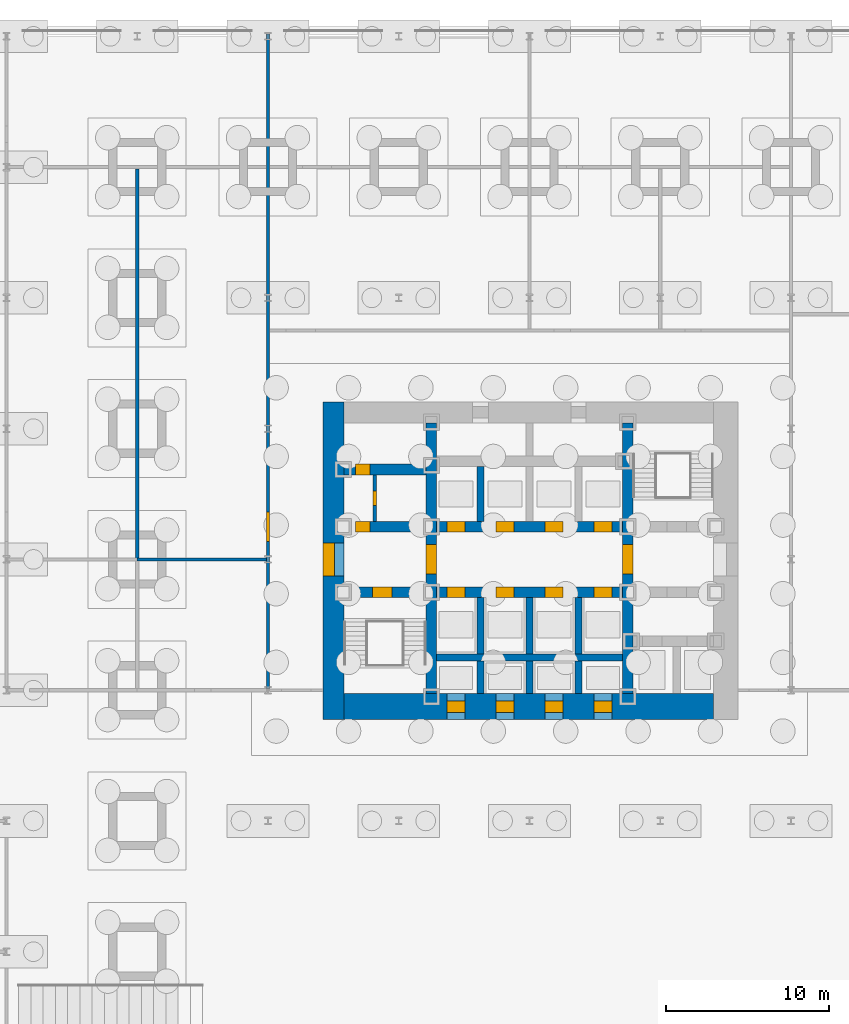
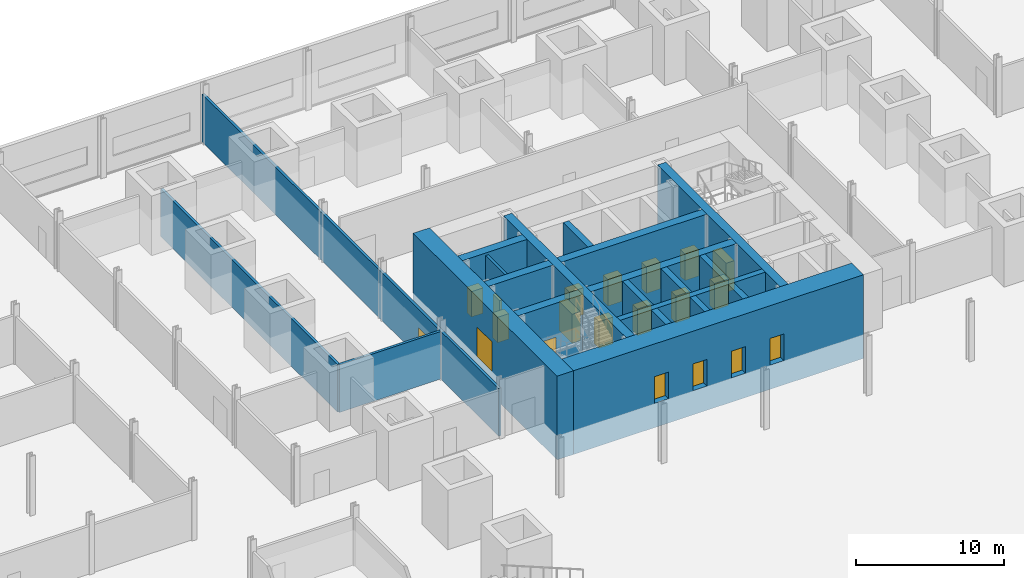
# One storey, part 16 of 24: 21 walls, 20 doors, 20 openings.
"""IFC4 building model written with IfcOpenShell, lengths in metres."""

from ifc_helpers import new_model, si_unit, direction, frame, frame_2d, origin, place, context, subcontext, project, spatial, rectangle, extrude, material, layer, layer_set, type_object, element, fill, save


model = new_model("IFC4")

# Units and contexts
model_context = context("Model", 3, precision=1e-05, world=origin(), true_north=direction((0.0, 1.0)))
body_context = subcontext(model_context, "Body", "Model", "MODEL_VIEW")
ifc_project = project(units=[si_unit("LENGTHUNIT", "METRE"), si_unit("AREAUNIT", "SQUARE_METRE"), si_unit("VOLUMEUNIT", "CUBIC_METRE"), si_unit("PLANEANGLEUNIT", "RADIAN"), si_unit("MASSUNIT", "GRAM", prefix="KILO")], contexts=[model_context])

# Site, building, storey
site_placement = place(None, origin())
site = spatial("IfcSite", under=ifc_project, at=site_placement, CompositionType="ELEMENT")
building_placement = place(site_placement, origin())
building = spatial("IfcBuilding", under=site, at=building_placement, Name="Daluyong Arena Tower", CompositionType="ELEMENT")
storey_placement = place(building_placement, origin())
storey = spatial("IfcBuildingStorey", under=building, at=storey_placement, Name="L00", CompositionType="ELEMENT", Elevation=0.0)

# Wall, opening, door
ifc_material_1 = material(Name="Concrete fc' 60 MPa", Category="concrete")
ifc_layer_1 = layer(ifc_material_1, 0.64990234375)
ifc_layer_set_1 = layer_set([ifc_layer_1], Name="Concrete fc' 60 MPa")
wall_type_1 = type_object("IfcWallType", Name="Core inner wall 650", PredefinedType="SHEAR", material=ifc_layer_set_1)
wall_1_placement = place(storey_placement, frame((50.0, 71.800048828125, -2.0), z_axis=(0.0, 0.0, 1.0), x_axis=(0.0, 1.0, 0.0)))
wall_1 = element("IfcWall", 1, at=wall_1_placement, inside=storey, type_object=wall_type_1, Name="core inner wall at L00", PredefinedType="SHEAR", context=body_context, shape_type="SweptSolid", body=[
    extrude(rectangle(XDim=16.56005859375, YDim=0.64990234375, at=frame_2d((8.280029296875, 0.0))), origin(), (0.0, 0.0, 1.0), 6.89990234375),
])
opening_1_placement = place(wall_1_placement, frame((7.300048828125, 0.0, 2.0)))
opening_1 = element("IfcOpeningElement", 2, at=opening_1_placement, cuts=wall_1, Name="Opening 00010", PredefinedType="OPENING", context=body_context, shape_type="SweptSolid", body=[
    extrude(rectangle(XDim=1.800048828125, YDim=2.39990234375, at=frame_2d((0.89990234375, 1.199951171875))), frame((0.0, 0.3349609375, 0.0), z_axis=(0.0, -1.0, 0.0), x_axis=(1.0, 0.0, 0.0)), (0.0, 0.0, 1.0), 0.669921875),
])
ifc_material_2 = material(Name="Steel door, fire rated", Category="steel")
door_type_1 = type_object("IfcDoorType", Name="Lift lobby opening door 1800", OperationType="DOUBLE_DOOR_SINGLE_SWING", PredefinedType="DOOR", material=ifc_material_2)
door_1_placement = place(opening_1_placement, origin())
door_1 = element("IfcDoor", 3, at=door_1_placement, inside=storey, type_object=door_type_1, Name="lift lobby door west 00010", OperationType="DOUBLE_DOOR_SINGLE_SWING", OverallHeight=2.39990234375, OverallWidth=1.800048828125, PredefinedType="DOOR", context=body_context, shape_type="SweptSolid", body=[
    extrude(rectangle(XDim=1.800048828125, YDim=2.39990234375, at=frame_2d((0.89990234375, 1.199951171875))), frame((0.0, 0.32470703125, 0.0), z_axis=(0.0, -1.0, 0.0), x_axis=(1.0, 0.0, 0.0)), (0.0, 0.0, 1.0), 0.6494140625),
])
fill(opening_1, door_1)

wall_2_placement = place(storey_placement, frame((62.0, 71.800048828125, -2.0), z_axis=(0.0, 0.0, 1.0), x_axis=(0.0, 1.0, 0.0)))
wall_2 = element("IfcWall", 4, at=wall_2_placement, inside=storey, type_object=wall_type_1, Name="core inner wall at L00", PredefinedType="SHEAR", context=body_context, shape_type="SweptSolid", body=[
    extrude(rectangle(XDim=16.56005859375, YDim=0.64990234375, at=frame_2d((8.280029296875, 0.0))), origin(), (0.0, 0.0, 1.0), 6.89990234375),
])
opening_2_placement = place(wall_2_placement, frame((7.300048828125, 0.0, 2.0)))
opening_2 = element("IfcOpeningElement", 5, at=opening_2_placement, cuts=wall_2, Name="Opening 00011", PredefinedType="OPENING", context=body_context, shape_type="SweptSolid", body=[
    extrude(rectangle(XDim=1.800048828125, YDim=2.39990234375, at=frame_2d((0.89990234375, 1.199951171875))), frame((0.0, 0.3349609375, 0.0), z_axis=(0.0, -1.0, 0.0), x_axis=(1.0, 0.0, 0.0)), (0.0, 0.0, 1.0), 0.669921875),
])
door_2_placement = place(opening_2_placement, origin())
door_2 = element("IfcDoor", 6, at=door_2_placement, inside=storey, type_object=door_type_1, Name="lift lobby door east 00011", OperationType="DOUBLE_DOOR_SINGLE_SWING", OverallHeight=2.39990234375, OverallWidth=1.800048828125, PredefinedType="DOOR", context=body_context, shape_type="SweptSolid", body=[
    extrude(rectangle(XDim=1.800048828125, YDim=2.39990234375, at=frame_2d((0.89990234375, 1.199951171875))), frame((0.0, 0.32470703125, 0.0), z_axis=(0.0, -1.0, 0.0), x_axis=(1.0, 0.0, 0.0)), (0.0, 0.0, 1.0), 0.6494140625),
])
fill(opening_2, door_2)

wall_3_placement = place(storey_placement, frame((44.639892578125, 78.0, -2.0), z_axis=(0.0, 0.0, 1.0), x_axis=(1.0, 0.0, 0.0)))
wall_3 = element("IfcWall", 7, at=wall_3_placement, inside=storey, type_object=wall_type_1, Name="core inner wall at L00", PredefinedType="SHEAR", context=body_context, shape_type="SweptSolid", body=[
    extrude(rectangle(XDim=5.03515625, YDim=0.64990234375, at=frame_2d((2.517578125, 0.0))), origin(), (0.0, 0.0, 1.0), 6.89990234375),
])
opening_3_placement = place(wall_3_placement, frame((1.760009765625, 0.0, 2.0)))
opening_3 = element("IfcOpeningElement", 8, at=opening_3_placement, cuts=wall_3, Name="Opening 00006", PredefinedType="OPENING", context=body_context, shape_type="SweptSolid", body=[
    extrude(rectangle(XDim=1.199951171875, YDim=2.10009765625, at=frame_2d((0.60009765625, 1.050048828125))), frame((0.0, 0.3349609375, 0.0), z_axis=(0.0, -1.0, 0.0), x_axis=(1.0, 0.0, 0.0)), (0.0, 0.0, 1.0), 0.669921875),
])
ifc_material_3 = material(Name="Steel door, fire rated", Category="steel")
door_type_2 = type_object("IfcDoorType", Name="Stair door 1200", OperationType="SINGLE_SWING_LEFT", PredefinedType="DOOR", material=ifc_material_3)
door_3_placement = place(opening_3_placement, origin())
door_3 = element("IfcDoor", 9, at=door_3_placement, inside=storey, type_object=door_type_2, Name="stair A door 00006", OperationType="SINGLE_SWING_LEFT", OverallHeight=2.10009765625, OverallWidth=1.199951171875, PredefinedType="DOOR", context=body_context, shape_type="SweptSolid", body=[
    extrude(rectangle(XDim=1.199951171875, YDim=2.10009765625, at=frame_2d((0.60009765625, 1.050048828125))), frame((0.0, 0.32470703125, 0.0), z_axis=(0.0, -1.0, 0.0), x_axis=(1.0, 0.0, 0.0)), (0.0, 0.0, 1.0), 0.6494140625),
])
fill(opening_3, door_3)

wall_4_placement = place(storey_placement, frame((44.639892578125, 82.0, -2.0), z_axis=(0.0, 0.0, 1.0), x_axis=(1.0, 0.0, 0.0)))
wall_4 = element("IfcWall", 10, at=wall_4_placement, inside=storey, type_object=wall_type_1, Name="core inner wall at L00", PredefinedType="SHEAR", context=body_context, shape_type="SweptSolid", body=[
    extrude(rectangle(XDim=5.03515625, YDim=0.64990234375, at=frame_2d((2.517578125, 0.0))), origin(), (0.0, 0.0, 1.0), 6.89990234375),
])
opening_4_placement = place(wall_4_placement, frame((0.699951171875, 0.0, 2.0)))
opening_4 = element("IfcOpeningElement", 11, at=opening_4_placement, cuts=wall_4, Name="Opening 00001", PredefinedType="OPENING", context=body_context, shape_type="SweptSolid", body=[
    extrude(rectangle(XDim=0.89990234375, YDim=2.10009765625, at=frame_2d((0.449951171875, 1.050048828125))), frame((0.0, 0.3349609375, 0.0), z_axis=(0.0, -1.0, 0.0), x_axis=(1.0, 0.0, 0.0)), (0.0, 0.0, 1.0), 0.669921875),
])
ifc_material_4 = material(Name="Steel door, fire rated", Category="steel")
door_type_3 = type_object("IfcDoorType", Name="Core room door 900", OperationType="SINGLE_SWING_LEFT", PredefinedType="DOOR", material=ifc_material_4)
door_4_placement = place(opening_4_placement, origin())
door_4 = element("IfcDoor", 12, at=door_4_placement, inside=storey, type_object=door_type_3, Name="toilet lobby door 00001", OperationType="SINGLE_SWING_LEFT", OverallHeight=2.10009765625, OverallWidth=0.89990234375, PredefinedType="DOOR", context=body_context, shape_type="SweptSolid", body=[
    extrude(rectangle(XDim=0.89990234375, YDim=2.10009765625, at=frame_2d((0.449951171875, 1.050048828125))), frame((0.0, 0.32470703125, 0.0), z_axis=(0.0, -1.0, 0.0), x_axis=(1.0, 0.0, 0.0)), (0.0, 0.0, 1.0), 0.6494140625),
])
fill(opening_4, door_4)

wall_5_placement = place(storey_placement, frame((44.639892578125, 85.5, -2.0), z_axis=(0.0, 0.0, 1.0), x_axis=(1.0, 0.0, 0.0)))
wall_5 = element("IfcWall", 13, at=wall_5_placement, inside=storey, type_object=wall_type_1, Name="core inner wall at L00", PredefinedType="SHEAR", context=body_context, shape_type="SweptSolid", body=[
    extrude(rectangle(XDim=5.03515625, YDim=0.64990234375, at=frame_2d((2.517578125, 0.0))), origin(), (0.0, 0.0, 1.0), 6.89990234375),
])
opening_5_placement = place(wall_5_placement, frame((0.699951171875, 0.0, 2.0)))
opening_5 = element("IfcOpeningElement", 14, at=opening_5_placement, cuts=wall_5, Name="Opening 00003", PredefinedType="OPENING", context=body_context, shape_type="SweptSolid", body=[
    extrude(rectangle(XDim=0.89990234375, YDim=2.10009765625, at=frame_2d((0.449951171875, 1.050048828125))), frame((0.0, 0.3349609375, 0.0), z_axis=(0.0, -1.0, 0.0), x_axis=(1.0, 0.0, 0.0)), (0.0, 0.0, 1.0), 0.669921875),
])
ifc_material_5 = material(Name="Timber door", Category="wood")
door_type_4 = type_object("IfcDoorType", Name="Toilet door 900", OperationType="SINGLE_SWING_RIGHT", PredefinedType="DOOR", material=ifc_material_5)
door_5_placement = place(opening_5_placement, origin())
door_5 = element("IfcDoor", 15, at=door_5_placement, inside=storey, type_object=door_type_4, Name="female toilet door 00003", OperationType="SINGLE_SWING_RIGHT", OverallHeight=2.10009765625, OverallWidth=0.89990234375, PredefinedType="DOOR", context=body_context, shape_type="SweptSolid", body=[
    extrude(rectangle(XDim=0.89990234375, YDim=2.10009765625, at=frame_2d((0.449951171875, 1.050048828125))), frame((0.0, 0.32470703125, 0.0), z_axis=(0.0, -1.0, 0.0), x_axis=(1.0, 0.0, 0.0)), (0.0, 0.0, 1.0), 0.6494140625),
])
fill(opening_5, door_5)

# Wall, openings, doors
wall_6_placement = place(storey_placement, frame((50.324951171875, 78.0, -2.0), z_axis=(0.0, 0.0, 1.0), x_axis=(1.0, 0.0, 0.0)))
wall_6 = element("IfcWall", 16, at=wall_6_placement, inside=storey, type_object=wall_type_1, Name="core inner wall at L00", PredefinedType="SHEAR", context=body_context, shape_type="SweptSolid", body=[
    extrude(rectangle(XDim=11.35009765625, YDim=0.64990234375, at=frame_2d((5.675048828125, 0.0))), origin(), (0.0, 0.0, 1.0), 6.89990234375),
])
opening_6_placement = place(wall_6_placement, frame((0.625, 0.0, 2.0)))
opening_6 = element("IfcOpeningElement", 17, at=opening_6_placement, cuts=wall_6, Name="Opening 00013", PredefinedType="OPENING", context=body_context, shape_type="SweptSolid", body=[
    extrude(rectangle(XDim=1.10009765625, YDim=2.199951171875, at=frame_2d((0.550048828125, 1.10009765625))), frame((0.0, 0.3349609375, 0.0), z_axis=(0.0, -1.0, 0.0), x_axis=(1.0, 0.0, 0.0)), (0.0, 0.0, 1.0), 0.669921875),
])
opening_7_placement = place(wall_6_placement, frame((3.625, 0.0, 2.0)))
opening_7 = element("IfcOpeningElement", 18, at=opening_7_placement, cuts=wall_6, Name="Opening 00014", PredefinedType="OPENING", context=body_context, shape_type="SweptSolid", body=[
    extrude(rectangle(XDim=1.10009765625, YDim=2.199951171875, at=frame_2d((0.550048828125, 1.10009765625))), frame((0.0, 0.3349609375, 0.0), z_axis=(0.0, -1.0, 0.0), x_axis=(1.0, 0.0, 0.0)), (0.0, 0.0, 1.0), 0.669921875),
])
opening_8_placement = place(wall_6_placement, frame((6.625, 0.0, 2.0)))
opening_8 = element("IfcOpeningElement", 19, at=opening_8_placement, cuts=wall_6, Name="Opening 00015", PredefinedType="OPENING", context=body_context, shape_type="SweptSolid", body=[
    extrude(rectangle(XDim=1.10009765625, YDim=2.199951171875, at=frame_2d((0.550048828125, 1.10009765625))), frame((0.0, 0.3349609375, 0.0), z_axis=(0.0, -1.0, 0.0), x_axis=(1.0, 0.0, 0.0)), (0.0, 0.0, 1.0), 0.669921875),
])
opening_9_placement = place(wall_6_placement, frame((9.625, 0.0, 2.0)))
opening_9 = element("IfcOpeningElement", 20, at=opening_9_placement, cuts=wall_6, Name="Opening 00016", PredefinedType="OPENING", context=body_context, shape_type="SweptSolid", body=[
    extrude(rectangle(XDim=1.10009765625, YDim=2.199951171875, at=frame_2d((0.550048828125, 1.10009765625))), frame((0.0, 0.3349609375, 0.0), z_axis=(0.0, -1.0, 0.0), x_axis=(1.0, 0.0, 0.0)), (0.0, 0.0, 1.0), 0.669921875),
])
ifc_material_6 = material(Name="Steel door, fire rated", Category="steel")
door_type_5 = type_object("IfcDoorType", Name="Lift landing door 1100", OperationType="SLIDING_TO_LEFT", PredefinedType="DOOR", material=ifc_material_6)
door_6_placement = place(opening_6_placement, origin())
door_6 = element("IfcDoor", 21, at=door_6_placement, inside=storey, type_object=door_type_5, Name="lift landing door A1 00013", OperationType="SLIDING_TO_LEFT", OverallHeight=2.199951171875, OverallWidth=1.10009765625, PredefinedType="DOOR", context=body_context, shape_type="SweptSolid", body=[
    extrude(rectangle(XDim=1.10009765625, YDim=2.199951171875, at=frame_2d((0.550048828125, 1.10009765625))), frame((0.0, 0.32470703125, 0.0), z_axis=(0.0, -1.0, 0.0), x_axis=(1.0, 0.0, 0.0)), (0.0, 0.0, 1.0), 0.6494140625),
])
fill(opening_6, door_6)
door_7_placement = place(opening_7_placement, origin())
door_7 = element("IfcDoor", 22, at=door_7_placement, inside=storey, type_object=door_type_5, Name="lift landing door A2 00014", OperationType="SLIDING_TO_LEFT", OverallHeight=2.199951171875, OverallWidth=1.10009765625, PredefinedType="DOOR", context=body_context, shape_type="SweptSolid", body=[
    extrude(rectangle(XDim=1.10009765625, YDim=2.199951171875, at=frame_2d((0.550048828125, 1.10009765625))), frame((0.0, 0.32470703125, 0.0), z_axis=(0.0, -1.0, 0.0), x_axis=(1.0, 0.0, 0.0)), (0.0, 0.0, 1.0), 0.6494140625),
])
fill(opening_7, door_7)
door_8_placement = place(opening_8_placement, origin())
door_8 = element("IfcDoor", 23, at=door_8_placement, inside=storey, type_object=door_type_5, Name="lift landing door A3 00015", OperationType="SLIDING_TO_LEFT", OverallHeight=2.199951171875, OverallWidth=1.10009765625, PredefinedType="DOOR", context=body_context, shape_type="SweptSolid", body=[
    extrude(rectangle(XDim=1.10009765625, YDim=2.199951171875, at=frame_2d((0.550048828125, 1.10009765625))), frame((0.0, 0.32470703125, 0.0), z_axis=(0.0, -1.0, 0.0), x_axis=(1.0, 0.0, 0.0)), (0.0, 0.0, 1.0), 0.6494140625),
])
fill(opening_8, door_8)
door_9_placement = place(opening_9_placement, origin())
door_9 = element("IfcDoor", 24, at=door_9_placement, inside=storey, type_object=door_type_5, Name="lift landing door A4 00016", OperationType="SLIDING_TO_LEFT", OverallHeight=2.199951171875, OverallWidth=1.10009765625, PredefinedType="DOOR", context=body_context, shape_type="SweptSolid", body=[
    extrude(rectangle(XDim=1.10009765625, YDim=2.199951171875, at=frame_2d((0.550048828125, 1.10009765625))), frame((0.0, 0.32470703125, 0.0), z_axis=(0.0, -1.0, 0.0), x_axis=(1.0, 0.0, 0.0)), (0.0, 0.0, 1.0), 0.6494140625),
])
fill(opening_9, door_9)

wall_7_placement = place(storey_placement, frame((50.324951171875, 82.0, -2.0), z_axis=(0.0, 0.0, 1.0), x_axis=(1.0, 0.0, 0.0)))
wall_7 = element("IfcWall", 25, at=wall_7_placement, inside=storey, type_object=wall_type_1, Name="core inner wall at L00", PredefinedType="SHEAR", context=body_context, shape_type="SweptSolid", body=[
    extrude(rectangle(XDim=11.35009765625, YDim=0.64990234375, at=frame_2d((5.675048828125, 0.0))), origin(), (0.0, 0.0, 1.0), 6.89990234375),
])
opening_10_placement = place(wall_7_placement, frame((0.625, 0.0, 2.0)))
opening_10 = element("IfcOpeningElement", 26, at=opening_10_placement, cuts=wall_7, Name="Opening 00017", PredefinedType="OPENING", context=body_context, shape_type="SweptSolid", body=[
    extrude(rectangle(XDim=1.10009765625, YDim=2.199951171875, at=frame_2d((0.550048828125, 1.10009765625))), frame((0.0, 0.3349609375, 0.0), z_axis=(0.0, -1.0, 0.0), x_axis=(1.0, 0.0, 0.0)), (0.0, 0.0, 1.0), 0.669921875),
])
opening_11_placement = place(wall_7_placement, frame((3.625, 0.0, 2.0)))
opening_11 = element("IfcOpeningElement", 27, at=opening_11_placement, cuts=wall_7, Name="Opening 00018", PredefinedType="OPENING", context=body_context, shape_type="SweptSolid", body=[
    extrude(rectangle(XDim=1.10009765625, YDim=2.199951171875, at=frame_2d((0.550048828125, 1.10009765625))), frame((0.0, 0.3349609375, 0.0), z_axis=(0.0, -1.0, 0.0), x_axis=(1.0, 0.0, 0.0)), (0.0, 0.0, 1.0), 0.669921875),
])
opening_12_placement = place(wall_7_placement, frame((6.625, 0.0, 2.0)))
opening_12 = element("IfcOpeningElement", 28, at=opening_12_placement, cuts=wall_7, Name="Opening 00019", PredefinedType="OPENING", context=body_context, shape_type="SweptSolid", body=[
    extrude(rectangle(XDim=1.10009765625, YDim=2.199951171875, at=frame_2d((0.550048828125, 1.10009765625))), frame((0.0, 0.3349609375, 0.0), z_axis=(0.0, -1.0, 0.0), x_axis=(1.0, 0.0, 0.0)), (0.0, 0.0, 1.0), 0.669921875),
])
opening_13_placement = place(wall_7_placement, frame((9.625, 0.0, 2.0)))
opening_13 = element("IfcOpeningElement", 29, at=opening_13_placement, cuts=wall_7, Name="Opening 00020", PredefinedType="OPENING", context=body_context, shape_type="SweptSolid", body=[
    extrude(rectangle(XDim=1.10009765625, YDim=2.199951171875, at=frame_2d((0.550048828125, 1.10009765625))), frame((0.0, 0.3349609375, 0.0), z_axis=(0.0, -1.0, 0.0), x_axis=(1.0, 0.0, 0.0)), (0.0, 0.0, 1.0), 0.669921875),
])
door_10_placement = place(opening_10_placement, origin())
door_10 = element("IfcDoor", 30, at=door_10_placement, inside=storey, type_object=door_type_5, Name="lift landing door B1 00017", OperationType="SLIDING_TO_LEFT", OverallHeight=2.199951171875, OverallWidth=1.10009765625, PredefinedType="DOOR", context=body_context, shape_type="SweptSolid", body=[
    extrude(rectangle(XDim=1.10009765625, YDim=2.199951171875, at=frame_2d((0.550048828125, 1.10009765625))), frame((0.0, 0.32470703125, 0.0), z_axis=(0.0, -1.0, 0.0), x_axis=(1.0, 0.0, 0.0)), (0.0, 0.0, 1.0), 0.6494140625),
])
fill(opening_10, door_10)
door_11_placement = place(opening_11_placement, origin())
door_11 = element("IfcDoor", 31, at=door_11_placement, inside=storey, type_object=door_type_5, Name="lift landing door B2 00018", OperationType="SLIDING_TO_LEFT", OverallHeight=2.199951171875, OverallWidth=1.10009765625, PredefinedType="DOOR", context=body_context, shape_type="SweptSolid", body=[
    extrude(rectangle(XDim=1.10009765625, YDim=2.199951171875, at=frame_2d((0.550048828125, 1.10009765625))), frame((0.0, 0.32470703125, 0.0), z_axis=(0.0, -1.0, 0.0), x_axis=(1.0, 0.0, 0.0)), (0.0, 0.0, 1.0), 0.6494140625),
])
fill(opening_11, door_11)
door_12_placement = place(opening_12_placement, origin())
door_12 = element("IfcDoor", 32, at=door_12_placement, inside=storey, type_object=door_type_5, Name="lift landing door B3 00019", OperationType="SLIDING_TO_LEFT", OverallHeight=2.199951171875, OverallWidth=1.10009765625, PredefinedType="DOOR", context=body_context, shape_type="SweptSolid", body=[
    extrude(rectangle(XDim=1.10009765625, YDim=2.199951171875, at=frame_2d((0.550048828125, 1.10009765625))), frame((0.0, 0.32470703125, 0.0), z_axis=(0.0, -1.0, 0.0), x_axis=(1.0, 0.0, 0.0)), (0.0, 0.0, 1.0), 0.6494140625),
])
fill(opening_12, door_12)
door_13_placement = place(opening_13_placement, origin())
door_13 = element("IfcDoor", 33, at=door_13_placement, inside=storey, type_object=door_type_5, Name="lift landing door B4 00020", OperationType="SLIDING_TO_LEFT", OverallHeight=2.199951171875, OverallWidth=1.10009765625, PredefinedType="DOOR", context=body_context, shape_type="SweptSolid", body=[
    extrude(rectangle(XDim=1.10009765625, YDim=2.199951171875, at=frame_2d((0.550048828125, 1.10009765625))), frame((0.0, 0.32470703125, 0.0), z_axis=(0.0, -1.0, 0.0), x_axis=(1.0, 0.0, 0.0)), (0.0, 0.0, 1.0), 0.6494140625),
])
fill(opening_13, door_13)

# Wall, opening, door
ifc_material_7 = material(Name="Concrete fc' 60 MPa", Category="concrete")
ifc_layer_2 = layer(ifc_material_7, 1.280029296875)
ifc_layer_set_2 = layer_set([ifc_layer_2], Name="Concrete fc' 60 MPa")
wall_type_2 = type_object("IfcWallType", Name="Core wall 1280", PredefinedType="SHEAR", material=ifc_layer_set_2)
wall_8_placement = place(storey_placement, frame((44.0, 70.199951171875, -2.0), z_axis=(0.0, 0.0, 1.0), x_axis=(0.0, 1.0, 0.0)))
wall_8 = element("IfcWall", 34, at=wall_8_placement, inside=storey, type_object=wall_type_2, Name="core wall at L00", PredefinedType="SHEAR", context=body_context, shape_type="SweptSolid", body=[
    extrude(rectangle(XDim=19.43994140625, YDim=1.280029296875, at=frame_2d((9.719970703125, 0.0))), origin(), (0.0, 0.0, 1.0), 6.89990234375),
])
opening_14_placement = place(wall_8_placement, frame((8.800048828125, 0.0, 2.0)))
opening_14 = element("IfcOpeningElement", 35, at=opening_14_placement, cuts=wall_8, Name="Opening 00008", PredefinedType="OPENING", context=body_context, shape_type="SweptSolid", body=[
    extrude(rectangle(XDim=2.0, YDim=2.39990234375, at=frame_2d((1.0, 1.199951171875))), frame((0.0, 0.64990234375, 0.0), z_axis=(0.0, -1.0, 0.0), x_axis=(1.0, 0.0, 0.0)), (0.0, 0.0, 1.0), 1.300048828125),
])
ifc_material_8 = material(Name="Steel door, fire rated", Category="steel")
door_type_6 = type_object("IfcDoorType", Name="Core lobby double door 2000", OperationType="DOUBLE_DOOR_SINGLE_SWING", PredefinedType="DOOR", material=ifc_material_8)
door_14_placement = place(opening_14_placement, origin())
door_14 = element("IfcDoor", 36, at=door_14_placement, inside=storey, type_object=door_type_6, Name="core lobby door west 00008", OperationType="DOUBLE_DOOR_SINGLE_SWING", OverallHeight=2.39990234375, OverallWidth=2.0, PredefinedType="DOOR", context=body_context, shape_type="SweptSolid", body=[
    extrude(rectangle(XDim=2.0, YDim=2.39990234375, at=frame_2d((1.0, 1.199951171875))), frame((0.0, 0.64013671875, 0.0), z_axis=(0.0, -1.0, 0.0), x_axis=(1.0, 0.0, 0.0)), (0.0, 0.0, 1.0), 0.699951171875),
])
fill(opening_14, door_14)

# Wall, openings, doors
ifc_material_9 = material(Name="Concrete fc' 60 MPa", Category="concrete")
ifc_layer_3 = layer(ifc_material_9, 1.60009765625)
ifc_layer_set_3 = layer_set([ifc_layer_3], Name="Concrete fc' 60 MPa")
wall_type_3 = type_object("IfcWallType", Name="Core wall 1600", PredefinedType="SHEAR", material=ifc_layer_set_3)
wall_9_placement = place(storey_placement, frame((44.639892578125, 71.0, -2.0), z_axis=(0.0, 0.0, 1.0), x_axis=(1.0, 0.0, 0.0)))
wall_9 = element("IfcWall", 37, at=wall_9_placement, inside=storey, type_object=wall_type_3, Name="core wall at L00", PredefinedType="SHEAR", context=body_context, shape_type="SweptSolid", body=[
    extrude(rectangle(XDim=22.610107421875, YDim=1.60009765625, at=frame_2d((11.30517578125, 0.0))), origin(), (0.0, 0.0, 1.0), 6.89990234375),
])
opening_15_placement = place(wall_9_placement, frame((6.31005859375, 0.0, 2.0)))
opening_15 = element("IfcOpeningElement", 38, at=opening_15_placement, cuts=wall_9, Name="Opening 00021", PredefinedType="OPENING", context=body_context, shape_type="SweptSolid", body=[
    extrude(rectangle(XDim=1.10009765625, YDim=2.199951171875, at=frame_2d((0.550048828125, 1.10009765625))), frame((0.0, 0.81005859375, 0.0), z_axis=(0.0, -1.0, 0.0), x_axis=(1.0, 0.0, 0.0)), (0.0, 0.0, 1.0), 1.6201171875),
])
opening_16_placement = place(wall_9_placement, frame((9.31005859375, 0.0, 2.0)))
opening_16 = element("IfcOpeningElement", 39, at=opening_16_placement, cuts=wall_9, Name="Opening 00022", PredefinedType="OPENING", context=body_context, shape_type="SweptSolid", body=[
    extrude(rectangle(XDim=1.10009765625, YDim=2.199951171875, at=frame_2d((0.550048828125, 1.10009765625))), frame((0.0, 0.81005859375, 0.0), z_axis=(0.0, -1.0, 0.0), x_axis=(1.0, 0.0, 0.0)), (0.0, 0.0, 1.0), 1.6201171875),
])
opening_17_placement = place(wall_9_placement, frame((12.31005859375, 0.0, 2.0)))
opening_17 = element("IfcOpeningElement", 40, at=opening_17_placement, cuts=wall_9, Name="Opening 00023", PredefinedType="OPENING", context=body_context, shape_type="SweptSolid", body=[
    extrude(rectangle(XDim=1.10009765625, YDim=2.199951171875, at=frame_2d((0.550048828125, 1.10009765625))), frame((0.0, 0.81005859375, 0.0), z_axis=(0.0, -1.0, 0.0), x_axis=(1.0, 0.0, 0.0)), (0.0, 0.0, 1.0), 1.6201171875),
])
opening_18_placement = place(wall_9_placement, frame((15.31005859375, 0.0, 2.0)))
opening_18 = element("IfcOpeningElement", 41, at=opening_18_placement, cuts=wall_9, Name="Opening 00024", PredefinedType="OPENING", context=body_context, shape_type="SweptSolid", body=[
    extrude(rectangle(XDim=1.10009765625, YDim=2.199951171875, at=frame_2d((0.550048828125, 1.10009765625))), frame((0.0, 0.81005859375, 0.0), z_axis=(0.0, -1.0, 0.0), x_axis=(1.0, 0.0, 0.0)), (0.0, 0.0, 1.0), 1.6201171875),
])
door_15_placement = place(opening_15_placement, origin())
door_15 = element("IfcDoor", 42, at=door_15_placement, inside=storey, type_object=door_type_5, Name="lift landing door C1 00021", OperationType="SLIDING_TO_LEFT", OverallHeight=2.199951171875, OverallWidth=1.10009765625, PredefinedType="DOOR", context=body_context, shape_type="SweptSolid", body=[
    extrude(rectangle(XDim=1.10009765625, YDim=2.199951171875, at=frame_2d((0.550048828125, 1.10009765625))), frame((0.0, 0.35009765625, 0.0), z_axis=(0.0, -1.0, 0.0), x_axis=(1.0, 0.0, 0.0)), (0.0, 0.0, 1.0), 0.699951171875),
])
fill(opening_15, door_15)
door_16_placement = place(opening_16_placement, origin())
door_16 = element("IfcDoor", 43, at=door_16_placement, inside=storey, type_object=door_type_5, Name="lift landing door C2 00022", OperationType="SLIDING_TO_LEFT", OverallHeight=2.199951171875, OverallWidth=1.10009765625, PredefinedType="DOOR", context=body_context, shape_type="SweptSolid", body=[
    extrude(rectangle(XDim=1.10009765625, YDim=2.199951171875, at=frame_2d((0.550048828125, 1.10009765625))), frame((0.0, 0.35009765625, 0.0), z_axis=(0.0, -1.0, 0.0), x_axis=(1.0, 0.0, 0.0)), (0.0, 0.0, 1.0), 0.699951171875),
])
fill(opening_16, door_16)
door_17_placement = place(opening_17_placement, origin())
door_17 = element("IfcDoor", 44, at=door_17_placement, inside=storey, type_object=door_type_5, Name="lift landing door C3 00023", OperationType="SLIDING_TO_LEFT", OverallHeight=2.199951171875, OverallWidth=1.10009765625, PredefinedType="DOOR", context=body_context, shape_type="SweptSolid", body=[
    extrude(rectangle(XDim=1.10009765625, YDim=2.199951171875, at=frame_2d((0.550048828125, 1.10009765625))), frame((0.0, 0.35009765625, 0.0), z_axis=(0.0, -1.0, 0.0), x_axis=(1.0, 0.0, 0.0)), (0.0, 0.0, 1.0), 0.699951171875),
])
fill(opening_17, door_17)
door_18_placement = place(opening_18_placement, origin())
door_18 = element("IfcDoor", 45, at=door_18_placement, inside=storey, type_object=door_type_5, Name="lift landing door C4 00024", OperationType="SLIDING_TO_LEFT", OverallHeight=2.199951171875, OverallWidth=1.10009765625, PredefinedType="DOOR", context=body_context, shape_type="SweptSolid", body=[
    extrude(rectangle(XDim=1.10009765625, YDim=2.199951171875, at=frame_2d((0.550048828125, 1.10009765625))), frame((0.0, 0.35009765625, 0.0), z_axis=(0.0, -1.0, 0.0), x_axis=(1.0, 0.0, 0.0)), (0.0, 0.0, 1.0), 0.699951171875),
])
fill(opening_18, door_18)

# Wall, opening, door
ifc_material_10 = material(Name="Concrete block partition, fire rated", Category="concrete")
ifc_layer_4 = layer(ifc_material_10, 0.199951171875)
ifc_layer_set_4 = layer_set([ifc_layer_4], Name="Concrete block partition, fire rated")
wall_type_4 = type_object("IfcWallType", Name="Fire-rated partition 200", PredefinedType="PARTITIONING", material=ifc_layer_set_4)
wall_10_placement = place(storey_placement, frame((46.5400390625, 82.324951171875, 0.0), z_axis=(0.0, 0.0, 1.0), x_axis=(0.0, 1.0, 0.0)))
wall_10 = element("IfcWall", 46, at=wall_10_placement, inside=storey, type_object=wall_type_4, Name="toilet lobby partition at L00", PredefinedType="PARTITIONING", context=body_context, shape_type="SweptSolid", body=[
    extrude(rectangle(XDim=2.85009765625, YDim=0.199951171875, at=frame_2d((1.425048828125, 0.0))), origin(), (0.0, 0.0, 1.0), 4.699951171875),
])
opening_19_placement = place(wall_10_placement, frame((0.97509765625, 0.0, 0.0)))
opening_19 = element("IfcOpeningElement", 47, at=opening_19_placement, cuts=wall_10, Name="Opening 00002", PredefinedType="OPENING", context=body_context, shape_type="SweptSolid", body=[
    extrude(rectangle(XDim=0.89990234375, YDim=2.10009765625, at=frame_2d((0.449951171875, 1.050048828125))), frame((0.0, 0.10986328125, 0.0), z_axis=(0.0, -1.0, 0.0), x_axis=(1.0, 0.0, 0.0)), (0.0, 0.0, 1.0), 0.219970703125),
])
door_19_placement = place(opening_19_placement, origin())
door_19 = element("IfcDoor", 48, at=door_19_placement, inside=storey, type_object=door_type_4, Name="male toilet door 00002", OperationType="SINGLE_SWING_RIGHT", OverallHeight=2.10009765625, OverallWidth=0.89990234375, PredefinedType="DOOR", context=body_context, shape_type="SweptSolid", body=[
    extrude(rectangle(XDim=0.89990234375, YDim=2.10009765625, at=frame_2d((0.449951171875, 1.050048828125))), frame((0.0, 0.099609375, 0.0), z_axis=(0.0, -1.0, 0.0), x_axis=(1.0, 0.0, 0.0)), (0.0, 0.0, 1.0), 0.199462890625),
])
fill(opening_19, door_19)

# Walls
ifc_material_11 = material(Name="Concrete fc' 45 MPa", Category="concrete")
ifc_layer_5 = layer(ifc_material_11, 0.449951171875)
ifc_layer_set_5 = layer_set([ifc_layer_5], Name="Concrete fc' 45 MPa")
wall_type_5 = type_object("IfcWallType", Name="Lift shaft wall 450", PredefinedType="SHEAR", material=ifc_layer_set_5)
wall_11_placement = place(storey_placement, frame((50.324951171875, 74.0, -2.0), z_axis=(0.0, 0.0, 1.0), x_axis=(1.0, 0.0, 0.0)))
element("IfcWall", 49, at=wall_11_placement, inside=storey, type_object=wall_type_5, Name="lift shaft wall at L00", PredefinedType="SHEAR", context=body_context, shape_type="SweptSolid", body=[
    extrude(rectangle(XDim=11.35009765625, YDim=0.449951171875, at=frame_2d((5.675048828125, 0.0))), origin(), (0.0, 0.0, 1.0), 6.89990234375),
])
wall_12_placement = place(storey_placement, frame((53.0, 71.800048828125, -2.0), z_axis=(0.0, 0.0, 1.0), x_axis=(0.0, 1.0, 0.0)))
element("IfcWall", 50, at=wall_12_placement, inside=storey, type_object=wall_type_5, Name="lift shaft wall at L00", PredefinedType="SHEAR", context=body_context, shape_type="SweptSolid", body=[
    extrude(rectangle(XDim=1.974853515625, YDim=0.449951171875, at=frame_2d((0.9873046875, 0.0))), origin(), (0.0, 0.0, 1.0), 6.89990234375),
])
wall_13_placement = place(storey_placement, frame((53.0, 74.22509765625, -2.0), z_axis=(0.0, 0.0, 1.0), x_axis=(0.0, 1.0, 0.0)))
element("IfcWall", 51, at=wall_13_placement, inside=storey, type_object=wall_type_5, Name="lift shaft wall at L00", PredefinedType="SHEAR", context=body_context, shape_type="SweptSolid", body=[
    extrude(rectangle(XDim=3.449951171875, YDim=0.449951171875, at=frame_2d((1.72509765625, 0.0))), origin(), (0.0, 0.0, 1.0), 6.89990234375),
])
wall_14_placement = place(storey_placement, frame((53.0, 82.324951171875, -2.0), z_axis=(0.0, 0.0, 1.0), x_axis=(0.0, 1.0, 0.0)))
element("IfcWall", 52, at=wall_14_placement, inside=storey, type_object=wall_type_5, Name="lift shaft wall at L00", PredefinedType="SHEAR", context=body_context, shape_type="SweptSolid", body=[
    extrude(rectangle(XDim=3.35009765625, YDim=0.449951171875, at=frame_2d((1.675048828125, 0.0))), origin(), (0.0, 0.0, 1.0), 6.89990234375),
])
wall_15_placement = place(storey_placement, frame((56.0, 71.800048828125, -2.0), z_axis=(0.0, 0.0, 1.0), x_axis=(0.0, 1.0, 0.0)))
element("IfcWall", 53, at=wall_15_placement, inside=storey, type_object=wall_type_5, Name="lift shaft wall at L00", PredefinedType="SHEAR", context=body_context, shape_type="SweptSolid", body=[
    extrude(rectangle(XDim=1.974853515625, YDim=0.449951171875, at=frame_2d((0.9873046875, 0.0))), origin(), (0.0, 0.0, 1.0), 6.89990234375),
])
wall_16_placement = place(storey_placement, frame((56.0, 74.22509765625, -2.0), z_axis=(0.0, 0.0, 1.0), x_axis=(0.0, 1.0, 0.0)))
element("IfcWall", 54, at=wall_16_placement, inside=storey, type_object=wall_type_5, Name="lift shaft wall at L00", PredefinedType="SHEAR", context=body_context, shape_type="SweptSolid", body=[
    extrude(rectangle(XDim=3.449951171875, YDim=0.449951171875, at=frame_2d((1.72509765625, 0.0))), origin(), (0.0, 0.0, 1.0), 6.89990234375),
])
wall_17_placement = place(storey_placement, frame((59.0, 71.800048828125, -2.0), z_axis=(0.0, 0.0, 1.0), x_axis=(0.0, 1.0, 0.0)))
element("IfcWall", 55, at=wall_17_placement, inside=storey, type_object=wall_type_5, Name="lift shaft wall at L00", PredefinedType="SHEAR", context=body_context, shape_type="SweptSolid", body=[
    extrude(rectangle(XDim=1.974853515625, YDim=0.449951171875, at=frame_2d((0.9873046875, 0.0))), origin(), (0.0, 0.0, 1.0), 6.89990234375),
])
wall_18_placement = place(storey_placement, frame((59.0, 74.22509765625, -2.0), z_axis=(0.0, 0.0, 1.0), x_axis=(0.0, 1.0, 0.0)))
element("IfcWall", 56, at=wall_18_placement, inside=storey, type_object=wall_type_5, Name="lift shaft wall at L00", PredefinedType="SHEAR", context=body_context, shape_type="SweptSolid", body=[
    extrude(rectangle(XDim=3.449951171875, YDim=0.449951171875, at=frame_2d((1.72509765625, 0.0))), origin(), (0.0, 0.0, 1.0), 6.89990234375),
])
ifc_material_12 = material(Name="Concrete block partition", Category="concrete")
ifc_layer_6 = layer(ifc_material_12, 0.199951171875)
ifc_layer_set_6 = layer_set([ifc_layer_6], Name="Concrete block partition")
wall_type_6 = type_object("IfcWallType", Name="Partition 200", PredefinedType="PARTITIONING", material=ifc_layer_set_6)
wall_19_placement = place(storey_placement, frame((32.0, 80.0, 0.0), z_axis=(0.0, 0.0, 1.0), x_axis=(1.0, 0.0, 0.0)))
element("IfcWall", 57, at=wall_19_placement, inside=storey, type_object=wall_type_6, Name="partition at L00", PredefinedType="PARTITIONING", context=body_context, shape_type="SweptSolid", body=[
    extrude(rectangle(XDim=7.89990234375, YDim=0.199951171875, at=frame_2d((3.949951171875, 0.0))), origin(), (0.0, 0.0, 1.0), 3.927734375),
])
wall_20_placement = place(storey_placement, frame((32.0, 80.0, 0.0), z_axis=(0.0, 0.0, 1.0), x_axis=(0.0, 1.0, 0.0)))
element("IfcWall", 58, at=wall_20_placement, inside=storey, type_object=wall_type_6, Name="partition at L00", PredefinedType="PARTITIONING", context=body_context, shape_type="SweptSolid", body=[
    extrude(rectangle(XDim=23.89990234375, YDim=0.199951171875, at=frame_2d((11.949951171875, 0.0))), origin(), (0.0, 0.0, 1.0), 3.927734375),
])

# Wall, opening, door
wall_21_placement = place(storey_placement, frame((40.0, 72.10009765625, 0.0), z_axis=(0.0, 0.0, 1.0), x_axis=(0.0, 1.0, 0.0)))
wall_21 = element("IfcWall", 59, at=wall_21_placement, inside=storey, type_object=wall_type_6, Name="partition at L00", PredefinedType="PARTITIONING", context=body_context, shape_type="SweptSolid", body=[
    extrude(rectangle(XDim=40.0498046875, YDim=0.199951171875, at=frame_2d((20.02490234375, 0.0))), origin(), (0.0, 0.0, 1.0), 3.927734375),
])
opening_20_placement = place(wall_21_placement, frame((9.0, 0.0, 0.0)))
opening_20 = element("IfcOpeningElement", 60, at=opening_20_placement, cuts=wall_21, Name="Opening 00066", PredefinedType="OPENING", context=body_context, shape_type="SweptSolid", body=[
    extrude(rectangle(XDim=1.800048828125, YDim=2.39990234375, at=frame_2d((0.89990234375, 1.199951171875))), frame((0.0, 0.10986328125, 0.0), z_axis=(0.0, -1.0, 0.0), x_axis=(1.0, 0.0, 0.0)), (0.0, 0.0, 1.0), 0.219970703125),
])
ifc_material_13 = material(Name="Timber door", Category="wood")
door_type_7 = type_object("IfcDoorType", Name="Assembly double door 1800", OperationType="DOUBLE_DOOR_DOUBLE_SWING", PredefinedType="DOOR", material=ifc_material_13)
door_20_placement = place(opening_20_placement, origin())
door_20 = element("IfcDoor", 61, at=door_20_placement, inside=storey, type_object=door_type_7, Name="arena restaurant door 00066", OperationType="DOUBLE_DOOR_DOUBLE_SWING", OverallHeight=2.39990234375, OverallWidth=1.800048828125, PredefinedType="DOOR", context=body_context, shape_type="SweptSolid", body=[
    extrude(rectangle(XDim=1.800048828125, YDim=2.39990234375, at=frame_2d((0.89990234375, 1.199951171875))), frame((0.0, 0.099609375, 0.0), z_axis=(0.0, -1.0, 0.0), x_axis=(1.0, 0.0, 0.0)), (0.0, 0.0, 1.0), 0.199462890625),
])
fill(opening_20, door_20)

save(model, "model.ifc")
